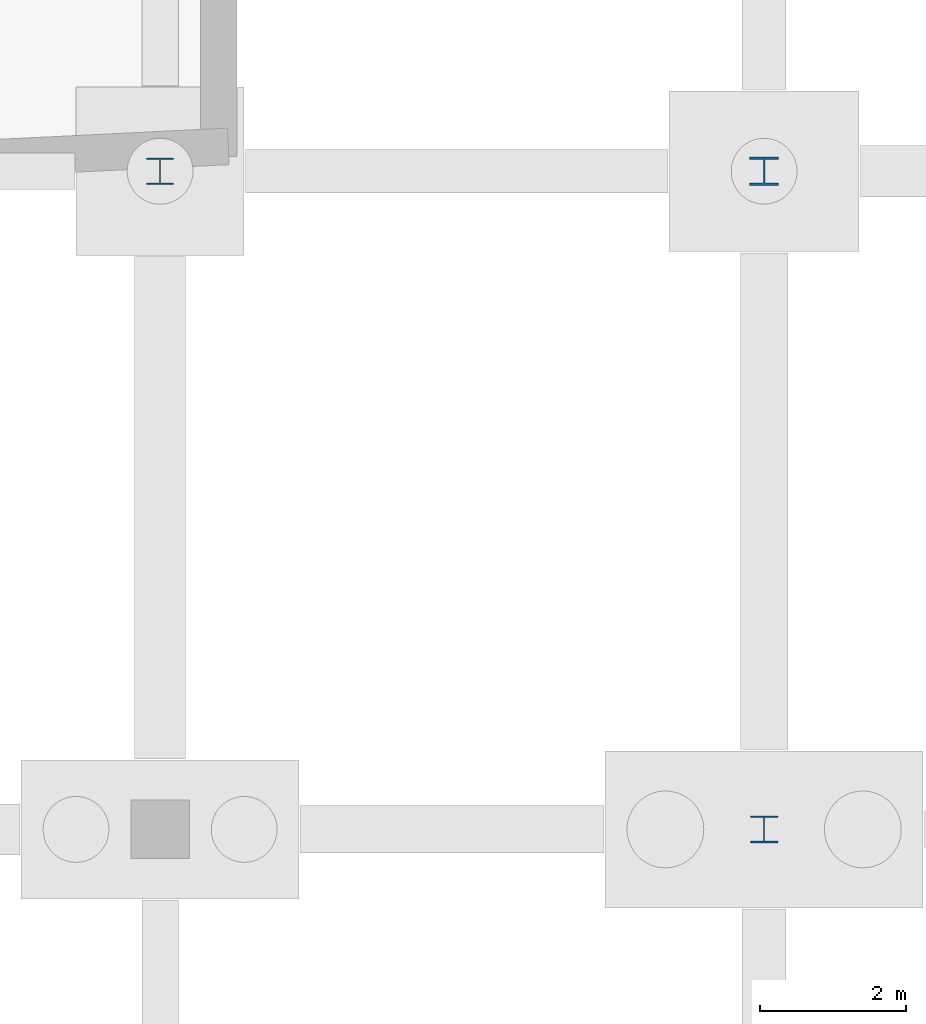
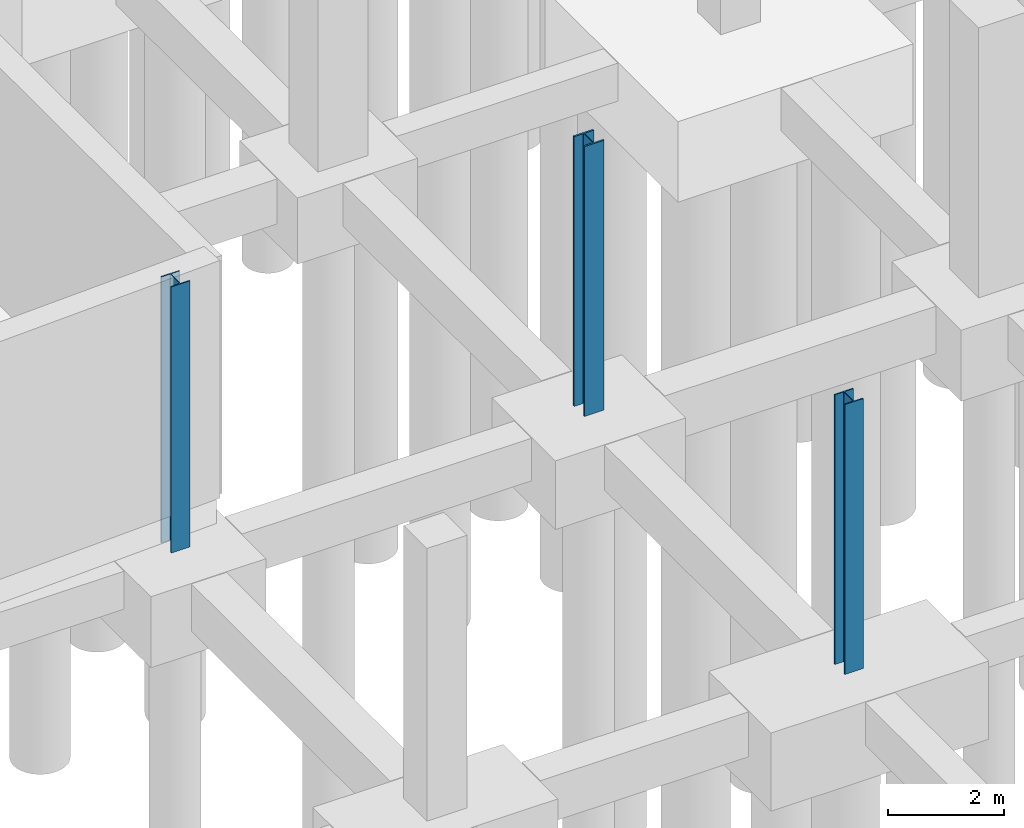
# One storey, part 21 of 60: 3 columns.
"""IFC4 building model written with IfcOpenShell, lengths in metres."""

from ifc_helpers import new_model, si_unit, direction, frame, origin, origin_2d, place, context, subcontext, project, spatial, i_section, extrude, material, material_profile, profile_set, type_object, element, save


model = new_model("IFC4")

# Units and contexts
model_context = context("Model", 3, precision=1e-05, world=origin(), true_north=direction((0.0, 1.0)))
body_context = subcontext(model_context, "Body", "Model", "MODEL_VIEW")
ifc_project = project(units=[si_unit("LENGTHUNIT", "METRE"), si_unit("AREAUNIT", "SQUARE_METRE"), si_unit("VOLUMEUNIT", "CUBIC_METRE"), si_unit("PLANEANGLEUNIT", "RADIAN"), si_unit("MASSUNIT", "GRAM", prefix="KILO")], contexts=[model_context])

# Site, building, storey
site_placement = place(None, origin())
site = spatial("IfcSite", under=ifc_project, at=site_placement, CompositionType="ELEMENT")
building_placement = place(site_placement, origin())
building = spatial("IfcBuilding", under=site, at=building_placement, Name="Trimount Lyric Opera House", CompositionType="ELEMENT")
storey_placement = place(building_placement, frame((0.0, 0.0, -5.39990234375)))
storey = spatial("IfcBuildingStorey", under=building, at=storey_placement, Name="B1", CompositionType="ELEMENT", Elevation=-5.39990234375)

# Columns
ifc_material_1 = material(Name="Steel ASTM A992 Grade 50", Category="steel")
ifc_material_profile_1 = material_profile(ifc_material_1, i_section(OverallWidth=0.39892578125, OverallDepth=0.385986328125, WebThickness=0.02099609375, FlangeThickness=0.033203125, FilletRadius=0.01611328125, at=origin_2d()), Name="W14X176")
ifc_profile_set_1 = profile_set([ifc_material_profile_1], Name="Steel ASTM A992 Grade 50")
column_type_1 = type_object("IfcColumnType", Name="C-03", PredefinedType="COLUMN", material=ifc_profile_set_1)
column_1_placement = place(storey_placement, frame((122.0, 26.0, -0.60009765625), z_axis=(0.0, 0.0, 1.0), x_axis=(1.0, 0.0, 0.0)))
element("IfcColumn", 1, at=column_1_placement, inside=storey, type_object=column_type_1, Name="B1 column 14/D", PredefinedType="COLUMN", context=body_context, shape_type="SweptSolid", body=[
    extrude(i_section(OverallWidth=0.39892578125, OverallDepth=0.385986328125, WebThickness=0.02099609375, FlangeThickness=0.033203125, FilletRadius=0.01611328125, at=origin_2d()), origin(), (0.0, 0.0, 1.0), 5.699951171875),
])
ifc_material_2 = material(Name="Steel ASTM A992 Grade 50", Category="steel")
ifc_material_profile_2 = material_profile(ifc_material_2, i_section(OverallWidth=0.373046875, OverallDepth=0.367919921875, WebThickness=0.014892578125, FlangeThickness=0.02392578125, FilletRadius=0.014892578125, at=origin_2d()), Name="W14X120")
ifc_profile_set_2 = profile_set([ifc_material_profile_2], Name="Steel ASTM A992 Grade 50")
column_type_2 = type_object("IfcColumnType", Name="C-08", PredefinedType="COLUMN", material=ifc_profile_set_2)
column_2_placement = place(storey_placement, frame((113.739990234375, 26.0, -0.60009765625), z_axis=(0.0, 0.0, 1.0), x_axis=(1.0, 0.0, 0.0)))
element("IfcColumn", 2, at=column_2_placement, inside=storey, type_object=column_type_2, Name="B1 column 13/D", PredefinedType="COLUMN", context=body_context, shape_type="SweptSolid", body=[
    extrude(i_section(OverallWidth=0.373046875, OverallDepth=0.367919921875, WebThickness=0.014892578125, FlangeThickness=0.02392578125, FilletRadius=0.014892578125, at=origin_2d()), origin(), (0.0, 0.0, 1.0), 5.6201171875),
])
column_3_placement = place(storey_placement, frame((122.0, 17.0, -0.60009765625), z_axis=(0.0, 0.0, 1.0), x_axis=(1.0, 0.0, 0.0)))
element("IfcColumn", 3, at=column_3_placement, inside=storey, type_object=column_type_2, Name="B1 column 14/C", PredefinedType="COLUMN", context=body_context, shape_type="SweptSolid", body=[
    extrude(i_section(OverallWidth=0.373046875, OverallDepth=0.367919921875, WebThickness=0.014892578125, FlangeThickness=0.02392578125, FilletRadius=0.014892578125, at=origin_2d()), origin(), (0.0, 0.0, 1.0), 5.699951171875),
])

save(model, "model.ifc")
